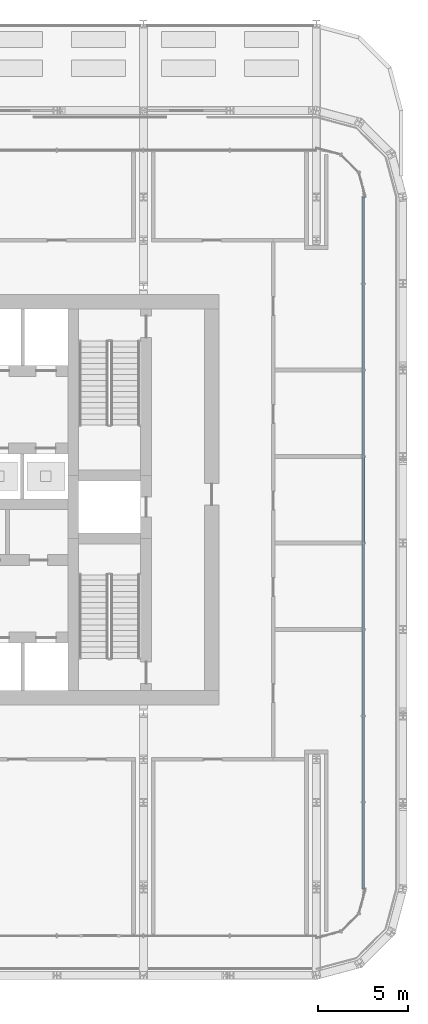
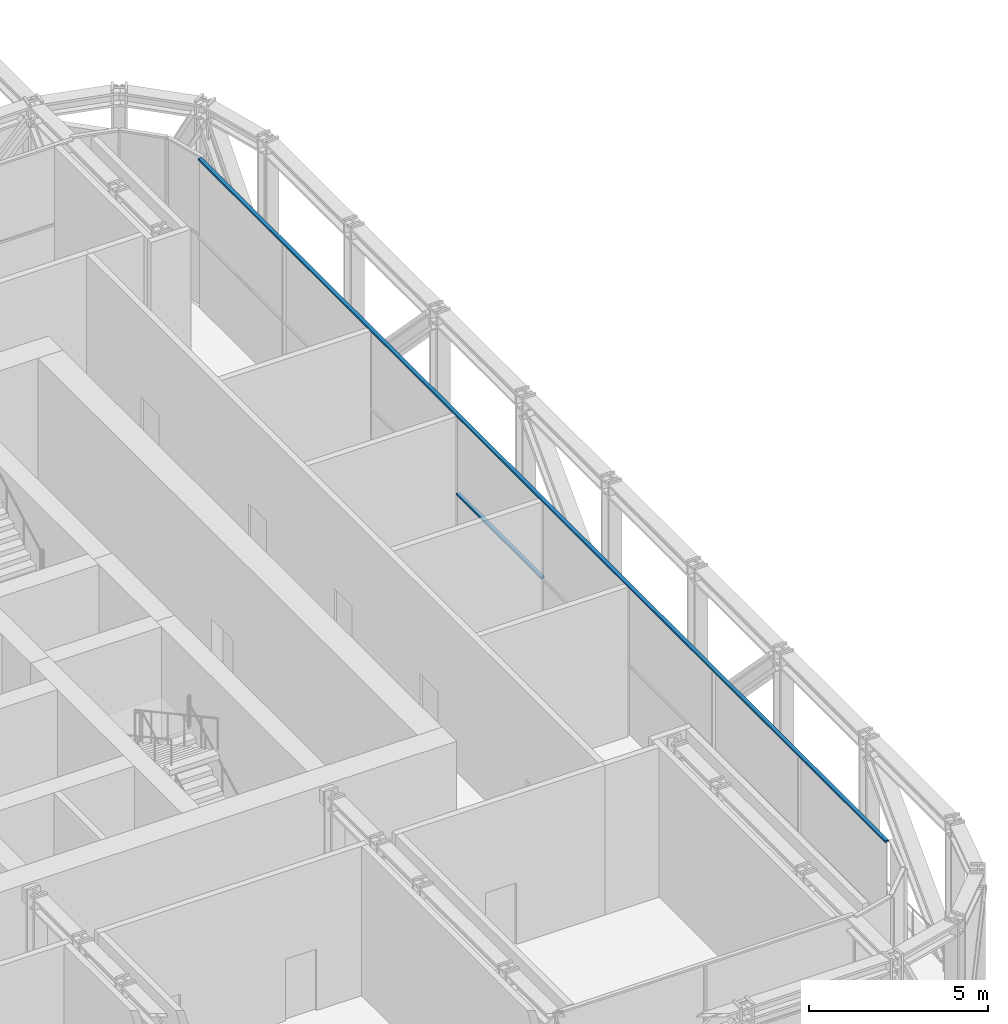
# One storey, part 7 of 27: 2 members, 1 element without a shape of its own.
"""IFC4 building model written with IfcOpenShell, lengths in metres."""

from ifc_helpers import new_model, si_unit, direction, frame, origin, origin_2d, place, context, subcontext, project, spatial, rectangle, extrude, material, layer, layer_set, material_profile, profile_set, type_object, element, aggregate, save


model = new_model("IFC4")

# Units and contexts
model_context = context("Model", 3, precision=1e-05, world=origin(), true_north=direction((0.0, 1.0)))
body_context = subcontext(model_context, "Body", "Model", "MODEL_VIEW")
ifc_project = project(units=[si_unit("LENGTHUNIT", "METRE"), si_unit("AREAUNIT", "SQUARE_METRE"), si_unit("VOLUMEUNIT", "CUBIC_METRE"), si_unit("PLANEANGLEUNIT", "RADIAN"), si_unit("MASSUNIT", "GRAM", prefix="KILO")], contexts=[model_context])

# Site, building, storey
site_placement = place(None, origin())
site = spatial("IfcSite", under=ifc_project, at=site_placement, CompositionType="ELEMENT")
building_placement = place(site_placement, origin())
building = spatial("IfcBuilding", under=site, at=building_placement, Name="Madar Terraces", CompositionType="ELEMENT")
storey_placement = place(building_placement, frame((0.0, 0.0, 143.60009765625)))
storey = spatial("IfcBuildingStorey", under=building, at=storey_placement, Name="L37", CompositionType="ELEMENT", Elevation=143.60009765625)

# Curtain wall, members
ifc_material_1 = material(Name="Glass, ceramic frit dark grey, with black aluminium frame", Category="aluminium")
ifc_layer = layer(ifc_material_1, 0.199951171875)
ifc_layer_set = layer_set([ifc_layer], Name="Facade curtain wall, tall glazing")
curtain_wall_type = type_object("IfcCurtainWallType", Name="Facade curtain wall, tall glazing", PredefinedType="NOTDEFINED", material=ifc_layer_set)
curtain_wall_placement = place(storey_placement, origin())
curtain_wall = element("IfcCurtainWall", 1, at=curtain_wall_placement, inside=storey, type_object=curtain_wall_type, Name="Outer skin curtain wall east bay 1", PredefinedType="NOTDEFINED")
ifc_material_2 = material(Name="Aluminium, black anodised", Category="aluminium")
ifc_material_profile = material_profile(ifc_material_2, rectangle(XDim=0.1201171875, YDim=0.06005859375, at=origin_2d()), Name="Facade transom 60x120")
ifc_profile_set = profile_set([ifc_material_profile], Name="Aluminium, black anodised")
member_type = type_object("IfcMemberType", Name="Facade transom 60x120", PredefinedType="USERDEFINED", material=ifc_profile_set)
member_1_placement = place(storey_placement, frame((55.39990234375, 4.800048828125, 5.06982421875), z_axis=(0.0, 1.0, 0.0), x_axis=(-1.0, 0.0, 0.0)))
member_1 = element("IfcMember", 2, at=member_1_placement, type_object=member_type, Name="Transom 1", ObjectType="TRANSOM", PredefinedType="USERDEFINED", context=body_context, shape_type="SweptSolid", body=[
    extrude(rectangle(XDim=0.1201171875, YDim=0.06005859375, at=origin_2d()), origin(), (0.0, 0.0, 1.0), 38.39990234375),
])
member_2_placement = place(storey_placement, frame((55.39990234375, 24.030029296875, 2.39990234375), z_axis=(0.0, 1.0, 0.0), x_axis=(-1.0, 0.0, 0.0)))
member_2 = element("IfcMember", 3, at=member_2_placement, type_object=member_type, Name="Transom 6", ObjectType="TRANSOM", PredefinedType="USERDEFINED", context=body_context, shape_type="SweptSolid", body=[
    extrude(rectangle(XDim=0.1201171875, YDim=0.06005859375, at=origin_2d()), origin(), (0.0, 0.0, 1.0), 4.739990234375),
])
aggregate(curtain_wall, [member_1, member_2])

save(model, "model.ifc")
